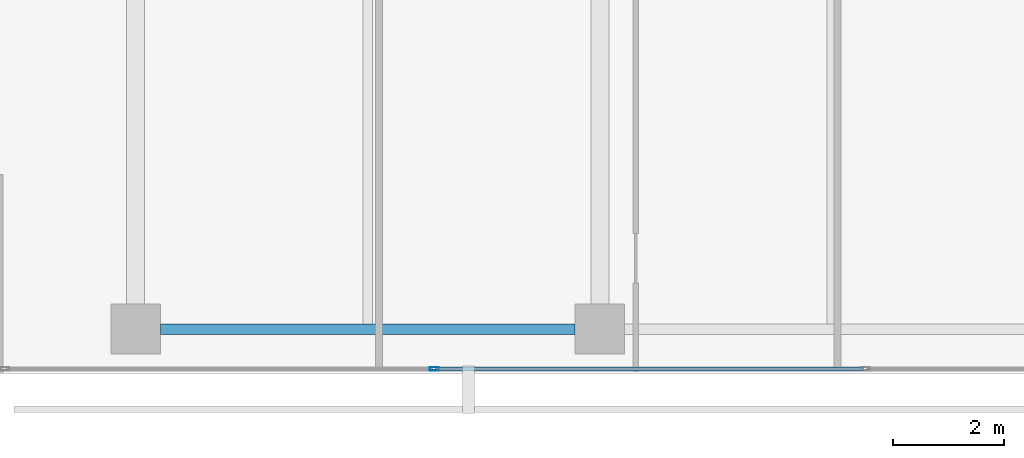
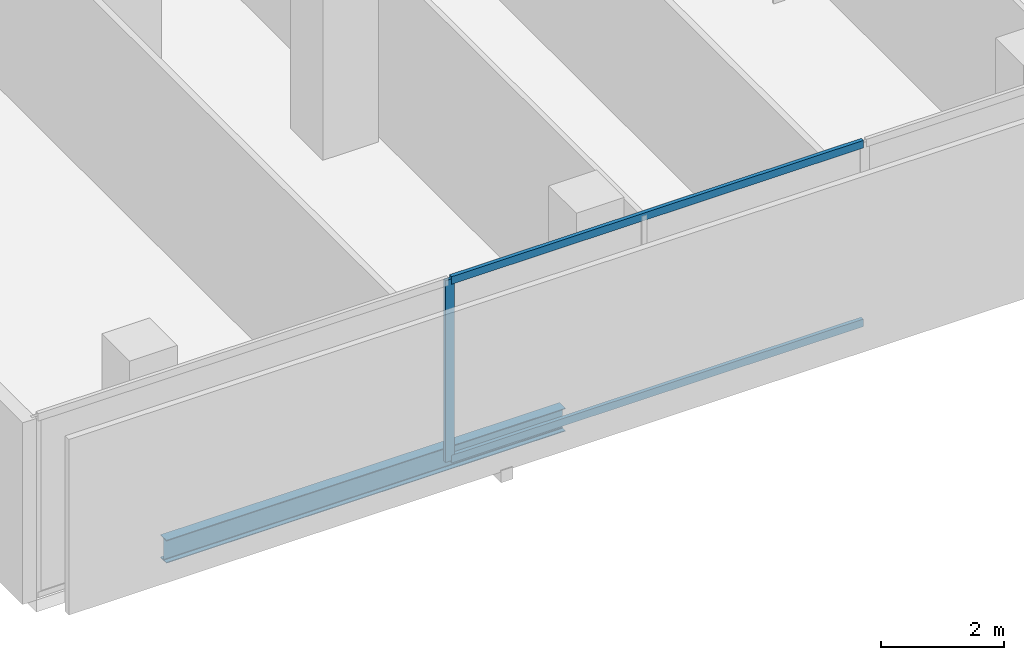
# One storey, part 3 of 39: 3 members, 1 beam, 1 element without a shape of its own.
"""IFC4 building model written with IfcOpenShell, lengths in metres."""

from ifc_helpers import new_model, si_unit, direction, frame, origin, origin_2d, place, context, subcontext, project, spatial, hollow_rectangle, i_section, extrude, material, layer, layer_set, material_profile, profile_set, type_object, element, aggregate, save


model = new_model("IFC4")

# Units and contexts
model_context = context("Model", 3, precision=1e-05, world=origin(), true_north=direction((0.0, 1.0)))
body_context = subcontext(model_context, "Body", "Model", "MODEL_VIEW")
ifc_project = project(units=[si_unit("LENGTHUNIT", "METRE"), si_unit("AREAUNIT", "SQUARE_METRE"), si_unit("VOLUMEUNIT", "CUBIC_METRE"), si_unit("PLANEANGLEUNIT", "RADIAN"), si_unit("MASSUNIT", "GRAM", prefix="KILO")], contexts=[model_context])

# Site, building, storey
site_placement = place(None, origin())
site = spatial("IfcSite", under=ifc_project, at=site_placement, CompositionType="ELEMENT")
building_placement = place(site_placement, origin())
building = spatial("IfcBuilding", under=site, at=building_placement, Name="Maruvema Waterfront Hotel and Observation Tower", CompositionType="ELEMENT")
storey_placement = place(building_placement, frame((0.0, 0.0, 46.199951171875)))
storey = spatial("IfcBuildingStorey", under=building, at=storey_placement, Name="L10", CompositionType="ELEMENT", Elevation=46.199951171875)

# Curtain wall, members
ifc_material_1 = material(Name="Anodised bronze aluminium and solar-control low-E IGU", Category="aluminium")
ifc_layer = layer(ifc_material_1, 0.159912109375, Name="Zone 1 Bronze Inner Thermal Curtain Wall System CW-02")
ifc_layer_set = layer_set([ifc_layer], Name="Anodised bronze aluminium and solar-control low-E IGU")
curtain_wall_type = type_object("IfcCurtainWallType", Name="Zone 1 Bronze Inner Thermal Curtain Wall System CW-02", PredefinedType="USERDEFINED", material=ifc_layer_set)
curtain_wall_placement = place(storey_placement, origin())
curtain_wall = element("IfcCurtainWall", 1, at=curtain_wall_placement, inside=storey, type_object=curtain_wall_type, Name="L10 Curtain Wall CW-L10-S", ObjectType="UNITISED CURTAIN WALL", PredefinedType="USERDEFINED")
ifc_material_2 = material(Name="Anodised architectural bronze aluminium", Category="aluminium")
ifc_material_profile_1 = material_profile(ifc_material_2, hollow_rectangle(XDim=0.070068359375, YDim=0.14990234375, WallThickness=0.00390625, at=origin_2d()), Name="ALU-T70x150")
ifc_profile_set_1 = profile_set([ifc_material_profile_1], Name="Anodised architectural bronze aluminium")
member_type_1 = type_object("IfcMemberType", Name="Curtain Wall Horizontal Transom ALU-T70x150", PredefinedType="USERDEFINED", material=ifc_profile_set_1)
member_1_placement = place(storey_placement, frame((22.22998046875, 0.080078125, 0.030029296875), z_axis=(1.0, 0.0, 0.0), x_axis=(0.0, 1.0, 0.0)))
member_1 = element("IfcMember", 2, at=member_1_placement, type_object=member_type_1, Name="CW-02 transom 2.1", ObjectType="TRANSOM", PredefinedType="USERDEFINED", context=body_context, shape_type="SweptSolid", body=[
    extrude(hollow_rectangle(XDim=0.070068359375, YDim=0.14990234375, WallThickness=0.00390625, at=origin_2d()), origin(), (0.0, 0.0, 1.0), 7.739990234375),
])
member_2_placement = place(storey_placement, frame((22.22998046875, 0.080078125, 3.580078125), z_axis=(1.0, 0.0, 0.0), x_axis=(0.0, 1.0, 0.0)))
member_2 = element("IfcMember", 3, at=member_2_placement, type_object=member_type_1, Name="CW-02 transom 2.2", ObjectType="TRANSOM", PredefinedType="USERDEFINED", context=body_context, shape_type="SweptSolid", body=[
    extrude(hollow_rectangle(XDim=0.070068359375, YDim=0.14990234375, WallThickness=0.00390625, at=origin_2d()), origin(), (0.0, 0.0, 1.0), 7.739990234375),
])
ifc_material_3 = material(Name="Anodised architectural bronze aluminium", Category="aluminium")
ifc_material_profile_2 = material_profile(ifc_material_3, hollow_rectangle(XDim=0.06494140625, YDim=0.1650390625, WallThickness=0.00390625, at=origin_2d()), Name="ALU-M65x165")
ifc_profile_set_2 = profile_set([ifc_material_profile_2], Name="Anodised architectural bronze aluminium")
member_type_2 = type_object("IfcMemberType", Name="Curtain Wall Primary Mullion ALU-M65x165", PredefinedType="MULLION", material=ifc_profile_set_2)
member_3_placement = place(storey_placement, frame((22.199951171875, 0.080078125, 0.0), z_axis=(0.0, 0.0, 1.0), x_axis=(0.0, 1.0, 0.0)))
member_3 = element("IfcMember", 4, at=member_3_placement, type_object=member_type_2, Name="CW-02 mullion 2", PredefinedType="MULLION", context=body_context, shape_type="SweptSolid", body=[
    extrude(hollow_rectangle(XDim=0.06494140625, YDim=0.1650390625, WallThickness=0.00390625, at=origin_2d()), origin(), (0.0, 0.0, 1.0), 3.610107421875),
])
aggregate(curtain_wall, [member_3, member_1, member_2])

# Beam
ifc_material_4 = material(Name="Steel ASTM A572 Grade 50", Category="steel")
ifc_material_profile_3 = material_profile(ifc_material_4, i_section(OverallWidth=0.18994140625, OverallDepth=0.45703125, WebThickness=0.009033203125, FlangeThickness=0.014404296875, FilletRadius=0.014892578125, at=origin_2d()), Name="W460x74.0")
ifc_profile_set_3 = profile_set([ifc_material_profile_3], Name="Steel ASTM A572 Grade 50")
beam_type = type_object("IfcBeamType", Name="Perimeter Spandrel Beam W460x74.0", PredefinedType="SPANDREL", material=ifc_profile_set_3)
beam_placement = place(storey_placement, frame((17.25, 0.800048828125, -0.468505859375), z_axis=(1.0, 0.0, 0.0), x_axis=(0.0, 1.0, 0.0)))
element("IfcBeam", 5, at=beam_placement, inside=storey, type_object=beam_type, Name="L10 Floor Girder EW-01", PredefinedType="SPANDREL", context=body_context, shape_type="SweptSolid", body=[
    extrude(i_section(OverallWidth=0.18994140625, OverallDepth=0.45703125, WebThickness=0.009033203125, FlangeThickness=0.014404296875, FilletRadius=0.014892578125, at=origin_2d()), origin(), (0.0, 0.0, 1.0), 7.5),
])

save(model, "model.ifc")
